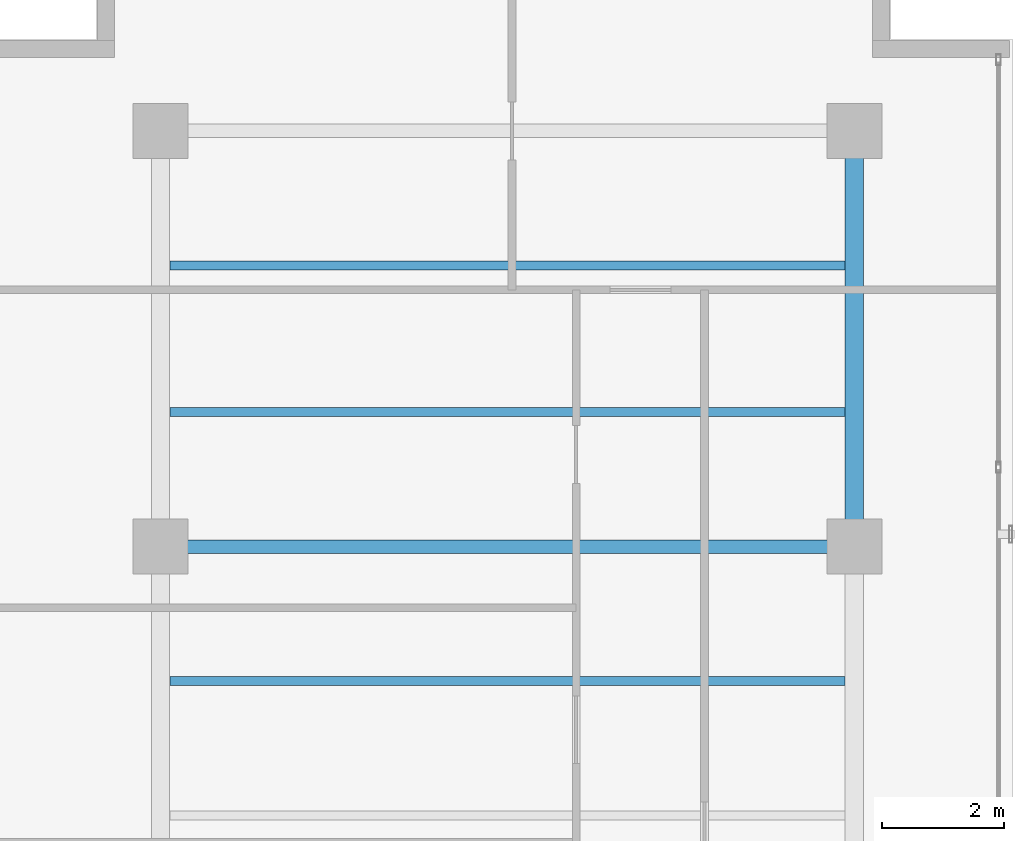
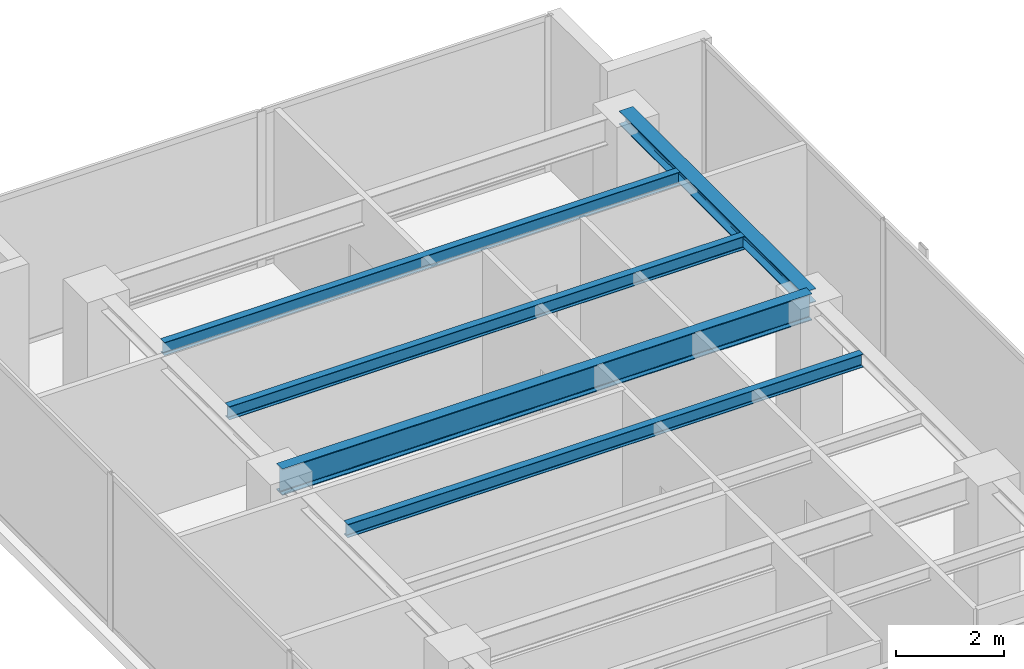
# One storey, part 21 of 32: 5 beams.
"""IFC4 building model written with IfcOpenShell, lengths in metres."""

from ifc_helpers import new_model, si_unit, direction, frame, origin, origin_2d, place, context, subcontext, project, spatial, i_section, extrude, material, material_profile, profile_set, type_object, element, save


model = new_model("IFC4")

# Units and contexts
model_context = context("Model", 3, precision=1e-05, world=origin(), true_north=direction((0.0, 1.0)))
body_context = subcontext(model_context, "Body", "Model", "MODEL_VIEW")
ifc_project = project(units=[si_unit("LENGTHUNIT", "METRE"), si_unit("AREAUNIT", "SQUARE_METRE"), si_unit("VOLUMEUNIT", "CUBIC_METRE"), si_unit("PLANEANGLEUNIT", "RADIAN"), si_unit("MASSUNIT", "GRAM", prefix="KILO")], contexts=[model_context])

# Site, building, storey
site_placement = place(None, origin())
site = spatial("IfcSite", under=ifc_project, at=site_placement, CompositionType="ELEMENT")
building_placement = place(site_placement, origin())
building = spatial("IfcBuilding", under=site, at=building_placement, Name="Kolvaren Waterfront Exchange", CompositionType="ELEMENT")
storey_placement = place(building_placement, frame((0.0, 0.0, 348.10009765625)))
storey = spatial("IfcBuildingStorey", under=building, at=storey_placement, Name="L89", CompositionType="ELEMENT", Elevation=348.10009765625)

# Beams
ifc_material = material(Name="Steel S355", Category="steel")
ifc_material_profile_1 = material_profile(ifc_material, i_section(OverallWidth=0.300048828125, OverallDepth=0.300048828125, WebThickness=0.010986328125, FlangeThickness=0.01904296875, FilletRadius=0.027099609375, at=origin_2d()), Name="HEB300")
ifc_profile_set_1 = profile_set([ifc_material_profile_1], Name="Steel S355")
beam_type_1 = type_object("IfcBeamType", Name="STR-BM-HEB300", PredefinedType="SPANDREL", material=ifc_profile_set_1)
beam_1_placement = place(storey_placement, frame((18.800048828125, 37.800048828125, 3.369873046875), z_axis=(0.0, 1.0, 0.0), x_axis=(-1.0, 0.0, 0.0)))
element("IfcBeam", 1, at=beam_1_placement, inside=storey, type_object=beam_type_1, Name="L89 north-arm edge beam 3", PredefinedType="SPANDREL", context=body_context, shape_type="SweptSolid", body=[
    extrude(i_section(OverallWidth=0.300048828125, OverallDepth=0.300048828125, WebThickness=0.010986328125, FlangeThickness=0.01904296875, FilletRadius=0.027099609375, at=origin_2d()), origin(), (0.0, 0.0, 1.0), 6.800048828125),
])
ifc_material_profile_2 = material_profile(ifc_material, i_section(OverallWidth=0.14990234375, OverallDepth=0.300048828125, WebThickness=0.007080078125, FlangeThickness=0.0107421875, FilletRadius=0.014892578125, at=origin_2d()), Name="IPE300")
ifc_profile_set_2 = profile_set([ifc_material_profile_2], Name="Steel S355")
beam_type_2 = type_object("IfcBeamType", Name="STR-BM-IPE300", PredefinedType="JOIST", material=ifc_profile_set_2)
for number, where, z_axis, x_axis, name in (
    (2, (7.60205078125, 35.60009765625, 3.369873046875), (1.0, 0.0, 0.0), (0.0, 1.0, 0.0), "L89 north-arm composite joist 4"),
    (3, (7.60205078125, 40.0, 3.369873046875), (1.0, 0.0, 0.0), (0.0, 1.0, 0.0), "L89 north-arm composite joist 5"),
    (4, (7.60205078125, 42.39990234375, 3.369873046875), (1.0, 0.0, 0.0), (0.0, 1.0, 0.0), "L89 north-arm composite joist 6"),
):
    element("IfcBeam", number, at=place(storey_placement, frame(where, z_axis=z_axis, x_axis=x_axis)), inside=storey, type_object=beam_type_2, Name=name, PredefinedType="JOIST", context=body_context, shape_type="SweptSolid", body=[
        extrude(i_section(OverallWidth=0.14990234375, OverallDepth=0.300048828125, WebThickness=0.007080078125, FlangeThickness=0.0107421875, FilletRadius=0.014892578125, at=origin_2d()), origin(), (0.0, 0.0, 1.0), 11.0458984375),
    ])
ifc_material_profile_3 = material_profile(ifc_material, i_section(OverallWidth=0.219970703125, OverallDepth=0.60009765625, WebThickness=0.011962890625, FlangeThickness=0.01904296875, FilletRadius=0.02392578125, at=origin_2d()), Name="IPE600")
ifc_profile_set_3 = profile_set([ifc_material_profile_3], Name="Steel S355")
beam_type_3 = type_object("IfcBeamType", Name="STR-BM-IPE600", PredefinedType="BEAM", material=ifc_profile_set_3)
beam_2_placement = place(storey_placement, frame((7.449951171875, 37.800048828125, 3.219970703125), z_axis=(1.0, 0.0, 0.0), x_axis=(0.0, 1.0, 0.0)))
element("IfcBeam", 5, at=beam_2_placement, inside=storey, type_object=beam_type_3, Name="L89 north-arm girder 3", PredefinedType="BEAM", context=body_context, shape_type="SweptSolid", body=[
    extrude(i_section(OverallWidth=0.219970703125, OverallDepth=0.60009765625, WebThickness=0.011962890625, FlangeThickness=0.01904296875, FilletRadius=0.02392578125, at=origin_2d()), origin(), (0.0, 0.0, 1.0), 11.35009765625),
])

save(model, "model.ifc")
